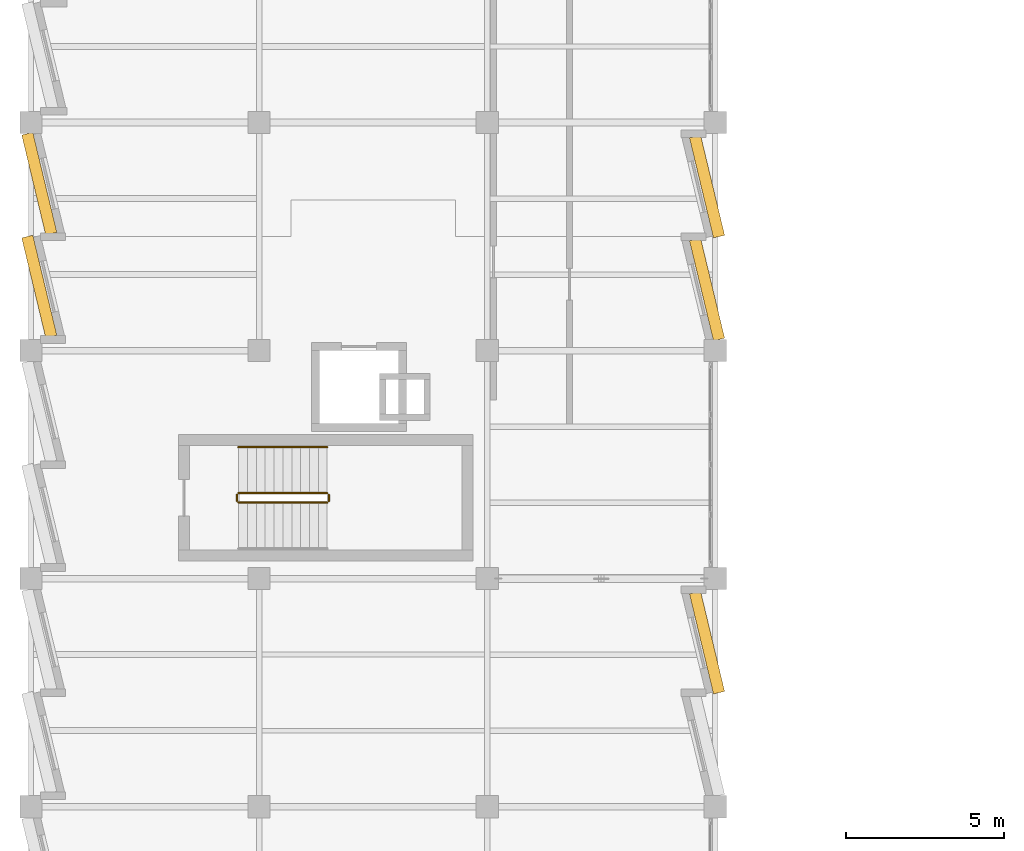
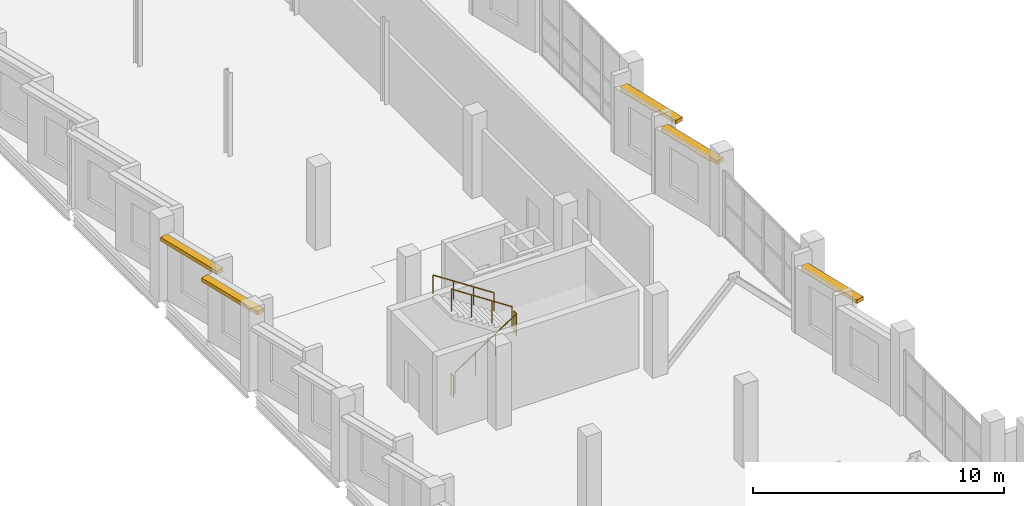
# One storey, part 32 of 33: 5 railings, 5 shading devices.
"""IFC4 building model written with IfcOpenShell, lengths in metres."""

from ifc_helpers import new_model, si_unit, direction, frame, origin, origin_2d, place, context, subcontext, project, spatial, rectangle, circle, extrude, material, layer, layer_set, type_object, element, save


model = new_model("IFC4")

# Units and contexts
model_context = context("Model", 3, precision=1e-05, world=origin(), true_north=direction((0.0, 1.0)))
body_context = subcontext(model_context, "Body", "Model", "MODEL_VIEW")
ifc_project = project(units=[si_unit("LENGTHUNIT", "METRE"), si_unit("AREAUNIT", "SQUARE_METRE"), si_unit("VOLUMEUNIT", "CUBIC_METRE"), si_unit("PLANEANGLEUNIT", "RADIAN"), si_unit("MASSUNIT", "GRAM", prefix="KILO")], contexts=[model_context])

# Site, building, storey
site_placement = place(None, origin())
site = spatial("IfcSite", under=ifc_project, at=site_placement, CompositionType="ELEMENT")
building_placement = place(site_placement, origin())
building = spatial("IfcBuilding", under=site, at=building_placement, Name="Kalmorath City Hall", CompositionType="ELEMENT")
storey_placement = place(building_placement, frame((0.0, 0.0, 22.949951171875)))
storey = spatial("IfcBuildingStorey", under=building, at=storey_placement, Name="L05", CompositionType="ELEMENT", Elevation=22.949951171875)

# Shading devices
ifc_material_1 = material(Name="Precast concrete C40/50", Category="concrete")
ifc_layer = layer(ifc_material_1, 0.179931640625)
ifc_layer_set = layer_set([ifc_layer], Name="Precast concrete C40/50")
shading_device_type = type_object("IfcShadingDeviceType", Name="Precast sawtooth brow sunshade 350", PredefinedType="USERDEFINED", material=ifc_layer_set)
for number, where, z_axis, x_axis, name in (
    (1, (0.2587890625, 59.62158203125, 3.005859375), (0.0, 0.0, 1.0), (-0.233445363856, 0.972369920398, 0.0), "L05 precast sawtooth hood #455"),
    (2, (0.2587890625, 62.87060546875, 3.005859375), (0.0, 0.0, 1.0), (-0.233445363856, 0.972369920398, 0.0), "L05 precast sawtooth hood #456"),
    (3, (21.341064453125, 62.7783203125, 3.005859375), (0.0, 0.0, 1.0), (0.233445363856, -0.972369920398, 0.0), "L05 precast sawtooth hood #465"),
    (4, (21.341064453125, 59.529296875, 3.005859375), (0.0, 0.0, 1.0), (0.233445363856, -0.972369920398, 0.0), "L05 precast sawtooth hood #466"),
    (5, (21.341064453125, 48.37841796875, 3.005859375), (0.0, 0.0, 1.0), (0.233445363856, -0.972369920398, 0.0), "L05 precast sawtooth hood #467"),
):
    element("IfcShadingDevice", number, at=place(storey_placement, frame(where, z_axis=z_axis, x_axis=x_axis)), inside=storey, type_object=shading_device_type, Name=name, ObjectType="SUNSHADE", PredefinedType="USERDEFINED", context=body_context, shape_type="SweptSolid", body=[
        extrude(rectangle(XDim=3.246337890625, YDim=0.360107421875, at=origin_2d()), origin(), (0.0, 0.0, 1.0), 0.179931640625),
    ])

# Railings
ifc_material_2 = material(Name="Painted steel guardrail", Category="steel")
railing_type_1 = type_object("IfcRailingType", Name="Protected stair guardrail 1100", PredefinedType="GUARDRAIL", material=ifc_material_2)
railing_1_placement = place(storey_placement, frame((6.550048828125, 52.800048828125, 0.18408203125)))
element("IfcRailing", 6, at=railing_1_placement, inside=storey, type_object=railing_type_1, Name="L05 ST-3 stair guard 1", PredefinedType="GUARDRAIL", context=body_context, shape_type="SweptSolid", body=[
    extrude(circle(Radius=0.02392578125, at=origin_2d()), frame((0.0, 0.0, 1.076171875), z_axis=(0.83556406348, 0.0, 0.549393024911), x_axis=(0.0, 1.0, 0.0)), (0.0, 0.0, 1.0), 3.35107421875),
    extrude(circle(Radius=0.02099609375, at=origin_2d()), origin(), (0.0, 0.0, 1.0), 1.052001953125),
    extrude(circle(Radius=0.02099609375, at=origin_2d()), frame((0.933349609375, 0.0, 0.61376953125)), (0.0, 0.0, 1.0), 1.052001953125),
    extrude(circle(Radius=0.02099609375, at=origin_2d()), frame((1.86669921875, 0.0, 1.227294921875)), (0.0, 0.0, 1.0), 1.052001953125),
    extrude(circle(Radius=0.02099609375, at=origin_2d()), frame((2.800048828125, 0.0, 1.841064453125)), (0.0, 0.0, 1.0), 1.052001953125),
])
railing_2_placement = place(storey_placement, frame((9.39990234375, 52.85009765625, 2.025146484375)))
element("IfcRailing", 7, at=railing_2_placement, inside=storey, type_object=railing_type_1, Name="L05 ST-3 stair guard 2", PredefinedType="GUARDRAIL", context=body_context, shape_type="SweptSolid", body=[
    extrude(circle(Radius=0.02392578125, at=origin_2d()), frame((0.0, 0.0, 1.076171875), z_axis=(0.0, 1.0, 0.0), x_axis=(-1.0, 0.0, 0.0)), (0.0, 0.0, 1.0), 0.199951171875),
    extrude(circle(Radius=0.02099609375, at=origin_2d()), origin(), (0.0, 0.0, 1.0), 1.052001953125),
    extrude(circle(Radius=0.02099609375, at=origin_2d()), frame((0.0, 0.199951171875, 0.0)), (0.0, 0.0, 1.0), 1.052001953125),
])
railing_3_placement = place(storey_placement, frame((9.35009765625, 53.10009765625, 2.209228515625)))
element("IfcRailing", 8, at=railing_3_placement, inside=storey, type_object=railing_type_1, Name="L05 ST-3 stair guard 3", PredefinedType="GUARDRAIL", context=body_context, shape_type="SweptSolid", body=[
    extrude(circle(Radius=0.02392578125, at=origin_2d()), frame((0.0, 0.0, 1.076171875), z_axis=(-0.835597507184, 0.0, 0.549342157483), x_axis=(0.0, -1.0, 0.0)), (0.0, 0.0, 1.0), 3.35107421875),
    extrude(circle(Radius=0.02099609375, at=origin_2d()), origin(), (0.0, 0.0, 1.0), 1.052001953125),
    extrude(circle(Radius=0.02099609375, at=origin_2d()), frame((-0.933349609375, 0.0, 0.613525390625)), (0.0, 0.0, 1.0), 1.052001953125),
    extrude(circle(Radius=0.02099609375, at=origin_2d()), frame((-1.86669921875, 0.0, 1.227294921875)), (0.0, 0.0, 1.0), 1.052001953125),
    extrude(circle(Radius=0.02099609375, at=origin_2d()), frame((-2.800048828125, 0.0, 1.8408203125)), (0.0, 0.0, 1.0), 1.052001953125),
])
railing_4_placement = place(storey_placement, frame((6.5, 52.85009765625, 0.0)))
element("IfcRailing", 9, at=railing_4_placement, inside=storey, type_object=railing_type_1, Name="L05 ST-3 stair guard 4", PredefinedType="GUARDRAIL", context=body_context, shape_type="SweptSolid", body=[
    extrude(circle(Radius=0.02392578125, at=origin_2d()), frame((0.0, 0.0, 1.076171875), z_axis=(0.0, 1.0, 0.0), x_axis=(-1.0, 0.0, 0.0)), (0.0, 0.0, 1.0), 0.199951171875),
    extrude(circle(Radius=0.02099609375, at=origin_2d()), origin(), (0.0, 0.0, 1.0), 1.052001953125),
    extrude(circle(Radius=0.02099609375, at=origin_2d()), frame((0.0, 0.199951171875, 0.0)), (0.0, 0.0, 1.0), 1.052001953125),
])
ifc_material_3 = material(Name="Brushed stainless steel handrail", Category="steel")
railing_type_2 = type_object("IfcRailingType", Name="Stair pitch handrail 900", PredefinedType="HANDRAIL", material=ifc_material_3)
railing_5_placement = place(storey_placement, frame((9.35009765625, 54.550048828125, 2.209228515625)))
element("IfcRailing", 10, at=railing_5_placement, inside=storey, type_object=railing_type_2, Name="L05 ST-3 stair handrail 2", PredefinedType="HANDRAIL", context=body_context, shape_type="SweptSolid", body=[
    extrude(circle(Radius=0.02392578125, at=origin_2d()), frame((0.0, 0.0, 0.8759765625), z_axis=(-0.835597507184, 0.0, 0.549342157483), x_axis=(0.0, -1.0, 0.0)), (0.0, 0.0, 1.0), 3.35107421875),
    extrude(circle(Radius=0.02099609375, at=origin_2d()), origin(), (0.0, 0.0, 1.0), 0.851806640625),
    extrude(circle(Radius=0.02099609375, at=origin_2d()), frame((-0.933349609375, 0.0, 0.613525390625)), (0.0, 0.0, 1.0), 0.851806640625),
    extrude(circle(Radius=0.02099609375, at=origin_2d()), frame((-1.86669921875, 0.0, 1.227294921875)), (0.0, 0.0, 1.0), 0.851806640625),
    extrude(circle(Radius=0.02099609375, at=origin_2d()), frame((-2.800048828125, 0.0, 1.8408203125)), (0.0, 0.0, 1.0), 0.851806640625),
])

save(model, "model.ifc")
